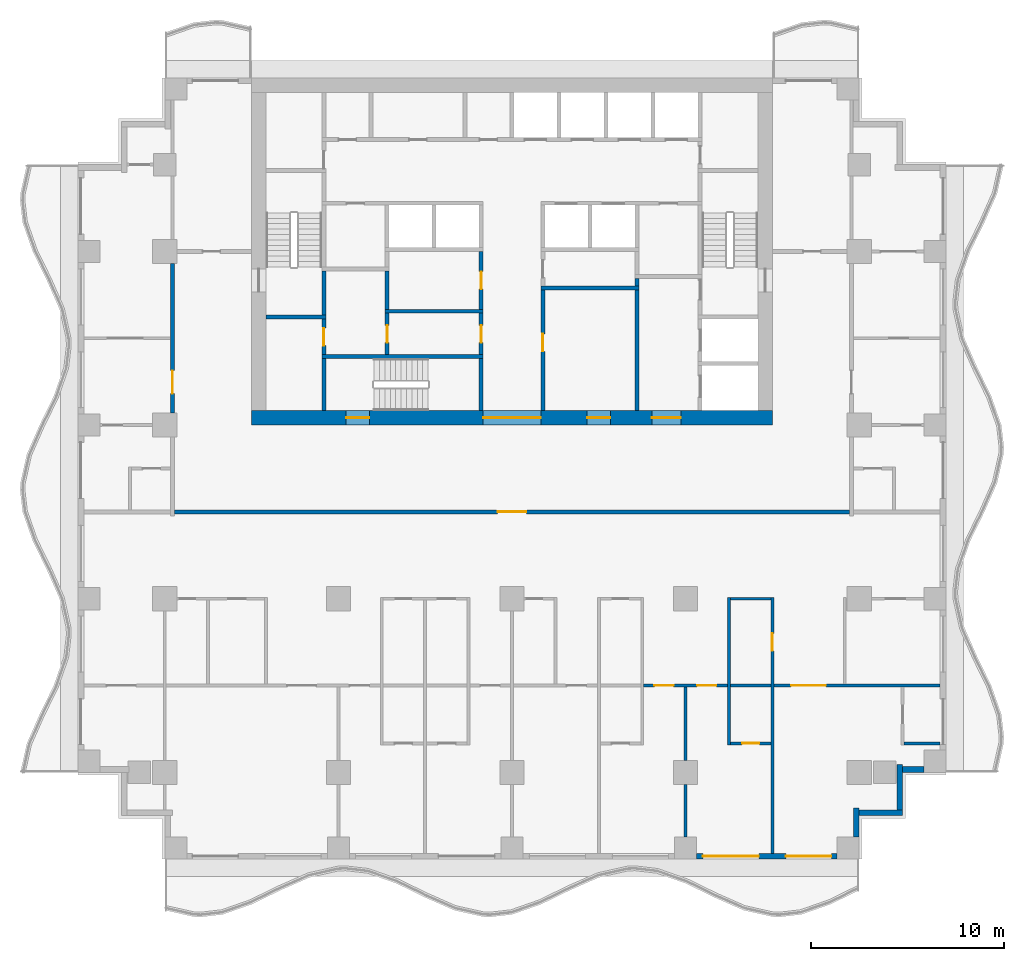
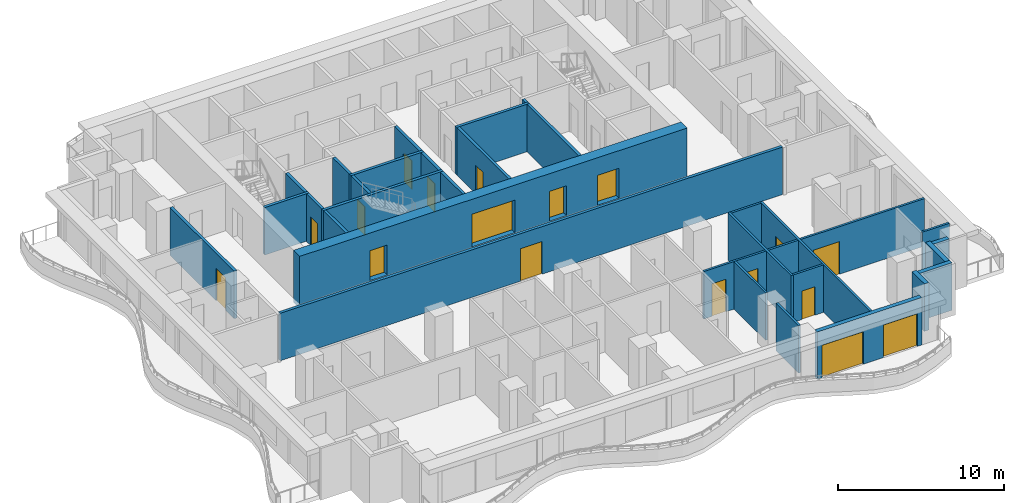
# One storey, part 3 of 10: 33 walls, 18 doors, 18 openings.
"""IFC4 building model written with IfcOpenShell, lengths in metres."""

from ifc_helpers import new_model, si_unit, direction, frame, frame_2d, origin, place, context, subcontext, project, spatial, rectangle, extrude, material, layer, layer_set, type_object, element, fill, save


model = new_model("IFC4")

# Units and contexts
model_context = context("Model", 3, precision=1e-05, world=origin(), true_north=direction((0.0, 1.0)))
body_context = subcontext(model_context, "Body", "Model", "MODEL_VIEW")
ifc_project = project(units=[si_unit("LENGTHUNIT", "METRE"), si_unit("AREAUNIT", "SQUARE_METRE"), si_unit("VOLUMEUNIT", "CUBIC_METRE"), si_unit("PLANEANGLEUNIT", "RADIAN"), si_unit("MASSUNIT", "GRAM", prefix="KILO")], contexts=[model_context])

# Site, building, storey
site_placement = place(None, origin())
site = spatial("IfcSite", under=ifc_project, at=site_placement, CompositionType="ELEMENT")
building_placement = place(site_placement, origin())
building = spatial("IfcBuilding", under=site, at=building_placement, Name="Orbiselva Terraces", CompositionType="ELEMENT")
storey_placement = place(building_placement, frame((0.0, 0.0, 147.8)))
storey = spatial("IfcBuildingStorey", under=building, at=storey_placement, Name="L37", CompositionType="ELEMENT", Elevation=147.8)

# Wall, openings, doors
ifc_material_1 = material(Name="Concrete C80/95", Category="concrete")
ifc_layer_1 = layer(ifc_material_1, 0.75)
ifc_layer_set_1 = layer_set([ifc_layer_1], Name="Concrete C80/95")
wall_type_1 = type_object("IfcWallType", Name="CORE WALL 750", PredefinedType="SHEAR", material=ifc_layer_set_1)
wall_1_placement = place(storey_placement, frame((-13.5, 4.875, -0.3), z_axis=(0.0, 0.0, 1.0), x_axis=(1.0, 0.0, 0.0)))
wall_1 = element("IfcWall", 1, at=wall_1_placement, inside=storey, type_object=wall_type_1, Name="Core wall L37 south", PredefinedType="SHEAR", context=body_context, shape_type="SweptSolid", body=[
    extrude(rectangle(XDim=27.0, YDim=0.75, at=frame_2d((13.5, 0.0))), origin(), (0.0, 0.0, 1.0), 3.8),
])
opening_1_placement = place(wall_1_placement, frame((12.0, 0.0, 0.3)))
opening_1 = element("IfcOpeningElement", 2, at=opening_1_placement, cuts=wall_1, Name="Opening DL3000", PredefinedType="OPENING", context=body_context, shape_type="SweptSolid", body=[
    extrude(rectangle(XDim=3.0, YDim=2.4, at=frame_2d((1.5, 1.2))), frame((0.0, 0.385, 0.0), z_axis=(0.0, -1.0, 0.0), x_axis=(1.0, 0.0, 0.0)), (0.0, 0.0, 1.0), 0.77),
])
opening_2_placement = place(wall_1_placement, frame((4.9, 0.0, 0.3)))
opening_2 = element("IfcOpeningElement", 3, at=opening_2_placement, cuts=wall_1, Name="Opening DS1200", PredefinedType="OPENING", context=body_context, shape_type="SweptSolid", body=[
    extrude(rectangle(XDim=1.2, YDim=2.2, at=frame_2d((0.6, 1.1))), frame((0.0, 0.385, 0.0), z_axis=(0.0, -1.0, 0.0), x_axis=(1.0, 0.0, 0.0)), (0.0, 0.0, 1.0), 0.77),
])
opening_3_placement = place(wall_1_placement, frame((20.75, 0.0, 0.3)))
opening_3 = element("IfcOpeningElement", 4, at=opening_3_placement, cuts=wall_1, Name="Opening DF1500", PredefinedType="OPENING", context=body_context, shape_type="SweptSolid", body=[
    extrude(rectangle(XDim=1.5, YDim=2.2, at=frame_2d((0.75, 1.1))), frame((0.0, 0.385, 0.0), z_axis=(0.0, -1.0, 0.0), x_axis=(1.0, 0.0, 0.0)), (0.0, 0.0, 1.0), 0.77),
])
opening_4_placement = place(wall_1_placement, frame((17.4, 0.0, 0.3)))
opening_4 = element("IfcOpeningElement", 5, at=opening_4_placement, cuts=wall_1, Name="Opening DV1200", PredefinedType="OPENING", context=body_context, shape_type="SweptSolid", body=[
    extrude(rectangle(XDim=1.2, YDim=2.2, at=frame_2d((0.6, 1.1))), frame((0.0, 0.385, 0.0), z_axis=(0.0, -1.0, 0.0), x_axis=(1.0, 0.0, 0.0)), (0.0, 0.0, 1.0), 0.77),
])
ifc_material_2 = material(Name="Steel fire door", Category="steel")
door_type_1 = type_object("IfcDoorType", Name="FFL DOOR 1500", OperationType="DOUBLE_DOOR_SINGLE_SWING", PredefinedType="DOOR", material=ifc_material_2)
door_1_placement = place(opening_3_placement, frame((1.5, 0.0, 0.0), z_axis=(0.0, 0.0, 1.0), x_axis=(-1.0, 0.0, 0.0)))
door_1 = element("IfcDoor", 6, at=door_1_placement, inside=storey, type_object=door_type_1, Name="L37 FIRE-FIGHTING LOBBY door", OperationType="DOUBLE_DOOR_SINGLE_SWING", OverallHeight=2.2, OverallWidth=1.5, PredefinedType="DOOR", context=body_context, shape_type="SweptSolid", body=[
    extrude(rectangle(XDim=1.5, YDim=2.2, at=frame_2d((0.75, 1.1))), frame((0.0, 0.025, 0.0), z_axis=(0.0, -1.0, 0.0), x_axis=(1.0, 0.0, 0.0)), (0.0, 0.0, 1.0), 0.05),
])
fill(opening_3, door_1)
door_type_2 = type_object("IfcDoorType", Name="LOBBY DOOR 3000", OperationType="DOUBLE_DOOR_SINGLE_SWING", PredefinedType="DOOR", material=ifc_material_2)
door_2_placement = place(opening_1_placement, frame((3.0, 0.0, 0.0), z_axis=(0.0, 0.0, 1.0), x_axis=(-1.0, 0.0, 0.0)))
door_2 = element("IfcDoor", 7, at=door_2_placement, inside=storey, type_object=door_type_2, Name="L37 LIFT LOBBY door", OperationType="DOUBLE_DOOR_SINGLE_SWING", OverallHeight=2.4, OverallWidth=3.0, PredefinedType="DOOR", context=body_context, shape_type="SweptSolid", body=[
    extrude(rectangle(XDim=3.0, YDim=2.4, at=frame_2d((1.5, 1.2))), frame((0.0, 0.025, 0.0), z_axis=(0.0, -1.0, 0.0), x_axis=(1.0, 0.0, 0.0)), (0.0, 0.0, 1.0), 0.05),
])
fill(opening_1, door_2)
door_type_3 = type_object("IfcDoorType", Name="SERVICE DOOR 1200", OperationType="NOTDEFINED", PredefinedType="DOOR", material=ifc_material_2)
door_3_placement = place(opening_4_placement, frame((1.2, 0.0, 0.0), z_axis=(0.0, 0.0, 1.0), x_axis=(-1.0, 0.0, 0.0)))
door_3 = element("IfcDoor", 8, at=door_3_placement, inside=storey, type_object=door_type_3, Name="L37 SERVICE ROOM door", OperationType="SINGLE_SWING_RIGHT", OverallHeight=2.2, OverallWidth=1.2, PredefinedType="DOOR", context=body_context, shape_type="SweptSolid", body=[
    extrude(rectangle(XDim=1.2, YDim=2.2, at=frame_2d((0.6, 1.1))), frame((0.0, 0.025, 0.0), z_axis=(0.0, -1.0, 0.0), x_axis=(1.0, 0.0, 0.0)), (0.0, 0.0, 1.0), 0.05),
])
fill(opening_4, door_3)
door_type_4 = type_object("IfcDoorType", Name="STAIR DOOR 1200", OperationType="NOTDEFINED", PredefinedType="DOOR", material=ifc_material_2)
door_4_placement = place(opening_2_placement, frame((1.2, 0.0, 0.0), z_axis=(0.0, 0.0, 1.0), x_axis=(-1.0, 0.0, 0.0)))
door_4 = element("IfcDoor", 9, at=door_4_placement, inside=storey, type_object=door_type_4, Name="L37 EXIT STAIR S3 door", OperationType="SINGLE_SWING_LEFT", OverallHeight=2.2, OverallWidth=1.2, PredefinedType="DOOR", context=body_context, shape_type="SweptSolid", body=[
    extrude(rectangle(XDim=1.2, YDim=2.2, at=frame_2d((0.6, 1.1))), frame((0.0, 0.025, 0.0), z_axis=(0.0, -1.0, 0.0), x_axis=(1.0, 0.0, 0.0)), (0.0, 0.0, 1.0), 0.05),
])
fill(opening_2, door_4)

# Wall, opening, door
ifc_material_3 = material(Name="Masonry blockwork", Category="masonry")
ifc_layer_2 = layer(ifc_material_3, 0.2)
ifc_layer_set_2 = layer_set([ifc_layer_2], Name="Masonry blockwork")
wall_type_2 = type_object("IfcWallType", Name="CORE-WALL-PARTITION-200", PredefinedType="PARTITIONING", material=ifc_layer_set_2)
wall_2_placement = place(storey_placement, frame((-9.75, 8.15, 0.0), z_axis=(0.0, 0.0, 1.0), x_axis=(0.0, 1.0, 0.0)))
wall_2 = element("IfcWall", 10, at=wall_2_placement, inside=storey, type_object=wall_type_2, Name="L37 core wall 05", PredefinedType="PARTITIONING", context=body_context, shape_type="SweptSolid", body=[
    extrude(rectangle(XDim=1.85, YDim=0.2, at=frame_2d((0.925, 0.0))), origin(), (0.0, 0.0, 1.0), 3.5),
])
opening_5_placement = place(wall_2_placement, frame((0.475, 0.0, 0.0)))
opening_5 = element("IfcOpeningElement", 11, at=opening_5_placement, cuts=wall_2, Name="Opening DR900", PredefinedType="OPENING", context=body_context, shape_type="SweptSolid", body=[
    extrude(rectangle(XDim=0.9, YDim=2.1, at=frame_2d((0.45, 1.05))), frame((0.0, 0.11, 0.0), z_axis=(0.0, -1.0, 0.0), x_axis=(1.0, 0.0, 0.0)), (0.0, 0.0, 1.0), 0.22),
])
door_type_5 = type_object("IfcDoorType", Name="ROOM DOOR 900", OperationType="NOTDEFINED", PredefinedType="DOOR", material=ifc_material_2)
door_5_placement = place(opening_5_placement, origin())
door_5 = element("IfcDoor", 12, at=door_5_placement, inside=storey, type_object=door_type_5, Name="L37 CLEANERS STORE door", OperationType="SINGLE_SWING_RIGHT", OverallHeight=2.1, OverallWidth=0.9, PredefinedType="DOOR", context=body_context, shape_type="SweptSolid", body=[
    extrude(rectangle(XDim=0.9, YDim=2.1, at=frame_2d((0.45, 1.05))), frame((0.0, 0.025, 0.0), z_axis=(0.0, -1.0, 0.0), x_axis=(1.0, 0.0, 0.0)), (0.0, 0.0, 1.0), 0.05),
])
fill(opening_5, door_5)

wall_3_placement = place(storey_placement, frame((-6.475, 8.15, 0.0), z_axis=(0.0, 0.0, 1.0), x_axis=(0.0, 1.0, 0.0)))
wall_3 = element("IfcWall", 13, at=wall_3_placement, inside=storey, type_object=wall_type_2, Name="L37 core wall 15", PredefinedType="PARTITIONING", context=body_context, shape_type="SweptSolid", body=[
    extrude(rectangle(XDim=2.15, YDim=0.2, at=frame_2d((1.075, 0.0))), origin(), (0.0, 0.0, 1.0), 3.5),
])
opening_6_placement = place(wall_3_placement, frame((0.625, 0.0, 0.0)))
opening_6 = element("IfcOpeningElement", 14, at=opening_6_placement, cuts=wall_3, Name="Opening DR900", PredefinedType="OPENING", context=body_context, shape_type="SweptSolid", body=[
    extrude(rectangle(XDim=0.9, YDim=2.1, at=frame_2d((0.45, 1.05))), frame((0.0, 0.11, 0.0), z_axis=(0.0, -1.0, 0.0), x_axis=(1.0, 0.0, 0.0)), (0.0, 0.0, 1.0), 0.22),
])
door_6_placement = place(opening_6_placement, origin())
door_6 = element("IfcDoor", 15, at=door_6_placement, inside=storey, type_object=door_type_5, Name="L37 STAFF ROOM door", OperationType="SINGLE_SWING_LEFT", OverallHeight=2.1, OverallWidth=0.9, PredefinedType="DOOR", context=body_context, shape_type="SweptSolid", body=[
    extrude(rectangle(XDim=0.9, YDim=2.1, at=frame_2d((0.45, 1.05))), frame((0.0, 0.025, 0.0), z_axis=(0.0, -1.0, 0.0), x_axis=(1.0, 0.0, 0.0)), (0.0, 0.0, 1.0), 0.05),
])
fill(opening_6, door_6)

# Wall
wall_4_placement = place(storey_placement, frame((-6.475, 10.5, 0.0), z_axis=(0.0, 0.0, 1.0), x_axis=(0.0, 1.0, 0.0)))
element("IfcWall", 16, at=wall_4_placement, inside=storey, type_object=wall_type_2, Name="L37 core wall 17", PredefinedType="PARTITIONING", context=body_context, shape_type="SweptSolid", body=[
    extrude(rectangle(XDim=2.0, YDim=0.2, at=frame_2d((1.0, 0.0))), origin(), (0.0, 0.0, 1.0), 3.5),
])

# Wall, opening, door
wall_5_placement = place(storey_placement, frame((-1.6, 8.15, 0.0), z_axis=(0.0, 0.0, 1.0), x_axis=(0.0, 1.0, 0.0)))
wall_5 = element("IfcWall", 17, at=wall_5_placement, inside=storey, type_object=wall_type_2, Name="L37 core wall 24", PredefinedType="PARTITIONING", context=body_context, shape_type="SweptSolid", body=[
    extrude(rectangle(XDim=2.15, YDim=0.2, at=frame_2d((1.075, 0.0))), origin(), (0.0, 0.0, 1.0), 3.5),
])
opening_7_placement = place(wall_5_placement, frame((0.625, 0.0, 0.0)))
opening_7 = element("IfcOpeningElement", 18, at=opening_7_placement, cuts=wall_5, Name="Opening DR900", PredefinedType="OPENING", context=body_context, shape_type="SweptSolid", body=[
    extrude(rectangle(XDim=0.9, YDim=2.1, at=frame_2d((0.45, 1.05))), frame((0.0, 0.11, 0.0), z_axis=(0.0, -1.0, 0.0), x_axis=(1.0, 0.0, 0.0)), (0.0, 0.0, 1.0), 0.22),
])
door_7_placement = place(opening_7_placement, origin())
door_7 = element("IfcDoor", 19, at=door_7_placement, inside=storey, type_object=door_type_5, Name="L37 SERVICE PANTRY door", OperationType="SINGLE_SWING_LEFT", OverallHeight=2.1, OverallWidth=0.9, PredefinedType="DOOR", context=body_context, shape_type="SweptSolid", body=[
    extrude(rectangle(XDim=0.9, YDim=2.1, at=frame_2d((0.45, 1.05))), frame((0.0, 0.025, 0.0), z_axis=(0.0, -1.0, 0.0), x_axis=(1.0, 0.0, 0.0)), (0.0, 0.0, 1.0), 0.05),
])
fill(opening_7, door_7)

wall_6_placement = place(storey_placement, frame((-1.6, 10.5, 0.0), z_axis=(0.0, 0.0, 1.0), x_axis=(0.0, 1.0, 0.0)))
wall_6 = element("IfcWall", 20, at=wall_6_placement, inside=storey, type_object=wall_type_2, Name="L37 core wall 25", PredefinedType="PARTITIONING", context=body_context, shape_type="SweptSolid", body=[
    extrude(rectangle(XDim=3.0, YDim=0.2, at=frame_2d((1.5, 0.0))), origin(), (0.0, 0.0, 1.0), 3.5),
])
opening_8_placement = place(wall_6_placement, frame((1.05, 0.0, 0.0)))
opening_8 = element("IfcOpeningElement", 21, at=opening_8_placement, cuts=wall_6, Name="Opening DR900", PredefinedType="OPENING", context=body_context, shape_type="SweptSolid", body=[
    extrude(rectangle(XDim=0.9, YDim=2.1, at=frame_2d((0.45, 1.05))), frame((0.0, 0.11, 0.0), z_axis=(0.0, -1.0, 0.0), x_axis=(1.0, 0.0, 0.0)), (0.0, 0.0, 1.0), 0.22),
])
door_8_placement = place(opening_8_placement, origin())
door_8 = element("IfcDoor", 22, at=door_8_placement, inside=storey, type_object=door_type_5, Name="L37 LINEN STORE door", OperationType="SINGLE_SWING_RIGHT", OverallHeight=2.1, OverallWidth=0.9, PredefinedType="DOOR", context=body_context, shape_type="SweptSolid", body=[
    extrude(rectangle(XDim=0.9, YDim=2.1, at=frame_2d((0.45, 1.05))), frame((0.0, 0.025, 0.0), z_axis=(0.0, -1.0, 0.0), x_axis=(1.0, 0.0, 0.0)), (0.0, 0.0, 1.0), 0.05),
])
fill(opening_8, door_8)

# Walls
ifc_material_4 = material(Name="Concrete C60/75", Category="concrete")
ifc_layer_3 = layer(ifc_material_4, 0.2)
ifc_layer_set_3 = layer_set([ifc_layer_3], Name="Concrete C60/75")
wall_type_3 = type_object("IfcWallType", Name="CORE-WALL-SHEAR-200", PredefinedType="SHEAR", material=ifc_layer_set_3)
wall_7_placement = place(storey_placement, frame((-12.75, 10.1, 0.0), z_axis=(0.0, 0.0, 1.0), x_axis=(1.0, 0.0, 0.0)))
element("IfcWall", 23, at=wall_7_placement, inside=storey, type_object=wall_type_3, Name="L37 core wall 01", PredefinedType="SHEAR", context=body_context, shape_type="SweptSolid", body=[
    extrude(rectangle(XDim=3.1, YDim=0.2, at=frame_2d((1.55, 0.0))), origin(), (0.0, 0.0, 1.0), 3.5),
])
wall_8_placement = place(storey_placement, frame((-9.75, 5.25, 0.0), z_axis=(0.0, 0.0, 1.0), x_axis=(0.0, 1.0, 0.0)))
element("IfcWall", 24, at=wall_8_placement, inside=storey, type_object=wall_type_3, Name="L37 core wall 03", PredefinedType="SHEAR", context=body_context, shape_type="SweptSolid", body=[
    extrude(rectangle(XDim=2.7, YDim=0.2, at=frame_2d((1.35, 0.0))), origin(), (0.0, 0.0, 1.0), 3.5),
])
wall_9_placement = place(storey_placement, frame((-9.85, 8.05, 0.0), z_axis=(0.0, 0.0, 1.0), x_axis=(1.0, 0.0, 0.0)))
element("IfcWall", 25, at=wall_9_placement, inside=storey, type_object=wall_type_3, Name="L37 core wall 04", PredefinedType="SHEAR", context=body_context, shape_type="SweptSolid", body=[
    extrude(rectangle(XDim=8.35, YDim=0.2, at=frame_2d((4.175, 0.0))), origin(), (0.0, 0.0, 1.0), 3.5),
])
wall_10_placement = place(storey_placement, frame((-9.75, 10.2, 0.0), z_axis=(0.0, 0.0, 1.0), x_axis=(0.0, 1.0, 0.0)))
element("IfcWall", 26, at=wall_10_placement, inside=storey, type_object=wall_type_3, Name="L37 core wall 06", PredefinedType="SHEAR", context=body_context, shape_type="SweptSolid", body=[
    extrude(rectangle(XDim=2.3, YDim=0.2, at=frame_2d((1.15, 0.0))), origin(), (0.0, 0.0, 1.0), 3.5),
])
wall_11_placement = place(storey_placement, frame((-6.575, 10.4, 0.0), z_axis=(0.0, 0.0, 1.0), x_axis=(1.0, 0.0, 0.0)))
element("IfcWall", 27, at=wall_11_placement, inside=storey, type_object=wall_type_3, Name="L37 core wall 16", PredefinedType="SHEAR", context=body_context, shape_type="SweptSolid", body=[
    extrude(rectangle(XDim=5.075, YDim=0.2, at=frame_2d((2.5375, 0.0))), origin(), (0.0, 0.0, 1.0), 3.5),
])
wall_12_placement = place(storey_placement, frame((-1.6, 5.25, 0.0), z_axis=(0.0, 0.0, 1.0), x_axis=(0.0, 1.0, 0.0)))
element("IfcWall", 28, at=wall_12_placement, inside=storey, type_object=wall_type_3, Name="L37 core wall 23", PredefinedType="SHEAR", context=body_context, shape_type="SweptSolid", body=[
    extrude(rectangle(XDim=2.7, YDim=0.2, at=frame_2d((1.35, 0.0))), origin(), (0.0, 0.0, 1.0), 3.5),
])

# Wall, opening, door
wall_13_placement = place(storey_placement, frame((1.6, 11.5, 0.0), z_axis=(0.0, 0.0, 1.0), x_axis=(0.0, -1.0, 0.0)))
wall_13 = element("IfcWall", 29, at=wall_13_placement, inside=storey, type_object=wall_type_3, Name="L37 core wall 28", PredefinedType="SHEAR", context=body_context, shape_type="SweptSolid", body=[
    extrude(rectangle(XDim=6.25, YDim=0.2, at=frame_2d((3.125, 0.0))), origin(), (0.0, 0.0, 1.0), 3.5),
])
opening_9_placement = place(wall_13_placement, frame((2.275, 0.0, 0.0)))
opening_9 = element("IfcOpeningElement", 30, at=opening_9_placement, cuts=wall_13, Name="Opening DR900", PredefinedType="OPENING", context=body_context, shape_type="SweptSolid", body=[
    extrude(rectangle(XDim=0.9, YDim=2.1, at=frame_2d((0.45, 1.05))), frame((0.0, 0.11, 0.0), z_axis=(0.0, -1.0, 0.0), x_axis=(1.0, 0.0, 0.0)), (0.0, 0.0, 1.0), 0.22),
])
door_9_placement = place(opening_9_placement, origin())
door_9 = element("IfcDoor", 31, at=door_9_placement, inside=storey, type_object=door_type_5, Name="L37 SERVICE ROOM door", OperationType="SINGLE_SWING_LEFT", OverallHeight=2.1, OverallWidth=0.9, PredefinedType="DOOR", context=body_context, shape_type="SweptSolid", body=[
    extrude(rectangle(XDim=0.9, YDim=2.1, at=frame_2d((0.45, 1.05))), frame((0.0, 0.025, 0.0), z_axis=(0.0, -1.0, 0.0), x_axis=(1.0, 0.0, 0.0)), (0.0, 0.0, 1.0), 0.05),
])
fill(opening_9, door_9)

# Walls
wall_14_placement = place(storey_placement, frame((1.5, 11.6, 0.0), z_axis=(0.0, 0.0, 1.0), x_axis=(1.0, 0.0, 0.0)))
element("IfcWall", 32, at=wall_14_placement, inside=storey, type_object=wall_type_3, Name="L37 core wall 29", PredefinedType="SHEAR", context=body_context, shape_type="SweptSolid", body=[
    extrude(rectangle(XDim=5.075, YDim=0.2, at=frame_2d((2.5375, 0.0))), origin(), (0.0, 0.0, 1.0), 3.5),
])
wall_15_placement = place(storey_placement, frame((6.475, 5.25, 0.0), z_axis=(0.0, 0.0, 1.0), x_axis=(0.0, 1.0, 0.0)))
element("IfcWall", 33, at=wall_15_placement, inside=storey, type_object=wall_type_3, Name="L37 core wall 37", PredefinedType="SHEAR", context=body_context, shape_type="SweptSolid", body=[
    extrude(rectangle(XDim=6.25, YDim=0.2, at=frame_2d((3.125, 0.0))), origin(), (0.0, 0.0, 1.0), 3.5),
])
wall_16_placement = place(storey_placement, frame((6.475, 11.7, 0.0), z_axis=(0.0, 0.0, 1.0), x_axis=(0.0, 1.0, 0.0)))
element("IfcWall", 34, at=wall_16_placement, inside=storey, type_object=wall_type_3, Name="L37 core wall 38", PredefinedType="SHEAR", context=body_context, shape_type="SweptSolid", body=[
    extrude(rectangle(XDim=0.4, YDim=0.2, at=frame_2d((0.2, 0.0))), origin(), (0.0, 0.0, 1.0), 3.5),
])

# Wall, openings, doors
ifc_material_5 = material(Name="Terracotta cladding on masonry backing", Category="masonry")
ifc_layer_4 = layer(ifc_material_5, 0.3)
ifc_layer_set_4 = layer_set([ifc_layer_4], Name="Terracotta cladding on masonry backing")
wall_type_4 = type_object("IfcWallType", Name="ENV-WALL-TERRACOTTA-300", PredefinedType="SOLIDWALL", material=ifc_layer_set_4)
wall_17_placement = place(storey_placement, frame((16.85, -17.85, 0.0), z_axis=(0.0, 0.0, 1.0), x_axis=(-1.0, 0.0, 0.0)))
wall_17 = element("IfcWall", 35, at=wall_17_placement, inside=storey, type_object=wall_type_4, Name="Facade wall L37 S", PredefinedType="SOLIDWALL", context=body_context, shape_type="SweptSolid", body=[
    extrude(rectangle(XDim=7.275, YDim=0.3, at=frame_2d((3.6375, 0.0))), origin(), (0.0, 0.0, 1.0), 3.5),
])
opening_10_placement = place(wall_17_placement, frame((4.05, 0.0, 0.0)))
opening_10 = element("IfcOpeningElement", 36, at=opening_10_placement, cuts=wall_17, Name="Opening Z3-C-E03", PredefinedType="OPENING", context=body_context, shape_type="SweptSolid", body=[
    extrude(rectangle(XDim=2.9, YDim=2.4, at=frame_2d((1.45, 1.2))), frame((0.0, 0.16, 0.0), z_axis=(0.0, -1.0, 0.0), x_axis=(1.0, 0.0, 0.0)), (0.0, 0.0, 1.0), 0.32),
])
opening_11_placement = place(wall_17_placement, frame((0.3, 0.0, 0.0)))
opening_11 = element("IfcOpeningElement", 37, at=opening_11_placement, cuts=wall_17, Name="Opening Z3-C-E04", PredefinedType="OPENING", context=body_context, shape_type="SweptSolid", body=[
    extrude(rectangle(XDim=2.35, YDim=2.4, at=frame_2d((1.175, 1.2))), frame((0.0, 0.16, 0.0), z_axis=(0.0, -1.0, 0.0), x_axis=(1.0, 0.0, 0.0)), (0.0, 0.0, 1.0), 0.32),
])
ifc_material_6 = material(Name="Clear low-e glazing in aluminium frame", Category="aluminium")
door_type_6 = type_object("IfcDoorType", Name="BALCONY DOOR 2350 X 2400", OperationType="DOUBLE_DOOR_SLIDING", PredefinedType="DOOR", material=ifc_material_6)
door_10_placement = place(opening_11_placement, origin())
door_10 = element("IfcDoor", 38, at=door_10_placement, inside=storey, type_object=door_type_6, Name="Z3-C-E04", OperationType="SINGLE_SWING_LEFT", OverallHeight=2.4, OverallWidth=2.35, PredefinedType="DOOR", context=body_context, shape_type="SweptSolid", body=[
    extrude(rectangle(XDim=2.35, YDim=2.4, at=frame_2d((1.175, 1.2))), frame((0.0, 0.025, 0.0), z_axis=(0.0, -1.0, 0.0), x_axis=(1.0, 0.0, 0.0)), (0.0, 0.0, 1.0), 0.05),
])
fill(opening_11, door_10)
door_type_7 = type_object("IfcDoorType", Name="BALCONY DOOR 2900 X 2400", OperationType="DOUBLE_DOOR_SLIDING", PredefinedType="DOOR", material=ifc_material_6)
door_11_placement = place(opening_10_placement, origin())
door_11 = element("IfcDoor", 39, at=door_11_placement, inside=storey, type_object=door_type_7, Name="Z3-C-E03", OperationType="SINGLE_SWING_LEFT", OverallHeight=2.4, OverallWidth=2.9, PredefinedType="DOOR", context=body_context, shape_type="SweptSolid", body=[
    extrude(rectangle(XDim=2.9, YDim=2.4, at=frame_2d((1.45, 1.2))), frame((0.0, 0.025, 0.0), z_axis=(0.0, -1.0, 0.0), x_axis=(1.0, 0.0, 0.0)), (0.0, 0.0, 1.0), 0.05),
])
fill(opening_10, door_11)

# Walls
wall_18_placement = place(storey_placement, frame((17.85, -15.35, 0.0), z_axis=(0.0, 0.0, 1.0), x_axis=(0.0, -1.0, 0.0)))
element("IfcWall", 40, at=wall_18_placement, inside=storey, type_object=wall_type_4, Name="Facade wall L37 STEP", PredefinedType="SOLIDWALL", context=body_context, shape_type="SweptSolid", body=[
    extrude(rectangle(XDim=1.5, YDim=0.3, at=frame_2d((0.75, 0.0))), origin(), (0.0, 0.0, 1.0), 3.5),
])
wall_19_placement = place(storey_placement, frame((20.25, -15.6, 0.0), z_axis=(0.0, 0.0, 1.0), x_axis=(-1.0, 0.0, 0.0)))
element("IfcWall", 41, at=wall_19_placement, inside=storey, type_object=wall_type_4, Name="Facade wall L37 STEP", PredefinedType="SOLIDWALL", context=body_context, shape_type="SweptSolid", body=[
    extrude(rectangle(XDim=2.25, YDim=0.3, at=frame_2d((1.125, 0.0))), origin(), (0.0, 0.0, 1.0), 3.5),
])
wall_20_placement = place(storey_placement, frame((20.1, -13.1, 0.0), z_axis=(0.0, 0.0, 1.0), x_axis=(0.0, -1.0, 0.0)))
element("IfcWall", 42, at=wall_20_placement, inside=storey, type_object=wall_type_4, Name="Facade wall L37 STEP", PredefinedType="SOLIDWALL", context=body_context, shape_type="SweptSolid", body=[
    extrude(rectangle(XDim=2.35, YDim=0.3, at=frame_2d((1.175, 0.0))), origin(), (0.0, 0.0, 1.0), 3.5),
])
wall_21_placement = place(storey_placement, frame((21.35, -13.35, 0.0), z_axis=(0.0, 0.0, 1.0), x_axis=(-1.0, 0.0, 0.0)))
element("IfcWall", 43, at=wall_21_placement, inside=storey, type_object=wall_type_4, Name="Facade wall L37 STEP", PredefinedType="SOLIDWALL", context=body_context, shape_type="SweptSolid", body=[
    extrude(rectangle(XDim=1.1, YDim=0.3, at=frame_2d((0.55, 0.0))), origin(), (0.0, 0.0, 1.0), 3.5),
])

# Wall, opening, door
ifc_material_7 = material(Name="Plasterboard on steel stud partition", Category="steel")
ifc_layer_5 = layer(ifc_material_7, 0.2)
ifc_layer_set_5 = layer_set([ifc_layer_5], Name="Plasterboard on steel stud partition")
wall_type_5 = type_object("IfcWallType", Name="UNIT-ENTRANCE-WALL-200", PredefinedType="PARTITIONING", material=ifc_layer_set_5)
wall_22_placement = place(storey_placement, frame((17.5, 0.0, 0.0), z_axis=(0.0, 0.0, 1.0), x_axis=(-1.0, 0.0, 0.0)))
wall_22 = element("IfcWall", 44, at=wall_22_placement, inside=storey, type_object=wall_type_5, Name="PARTITION L37-022", PredefinedType="PARTITIONING", context=body_context, shape_type="SweptSolid", body=[
    extrude(rectangle(XDim=35.0, YDim=0.2, at=frame_2d((17.5, 0.0))), origin(), (0.0, 0.0, 1.0), 3.5),
])
opening_12_placement = place(wall_22_placement, frame((16.75, 0.0, 0.0)))
opening_12 = element("IfcOpeningElement", 45, at=opening_12_placement, cuts=wall_22, Name="Opening Z3-C-13", PredefinedType="OPENING", context=body_context, shape_type="SweptSolid", body=[
    extrude(rectangle(XDim=1.5, YDim=2.4, at=frame_2d((0.75, 1.2))), frame((0.0, 0.11, 0.0), z_axis=(0.0, -1.0, 0.0), x_axis=(1.0, 0.0, 0.0)), (0.0, 0.0, 1.0), 0.22),
])
ifc_material_8 = material(Name="Painted timber door leaf", Category="wood")
door_type_8 = type_object("IfcDoorType", Name="ENTRANCE DOUBLE DOOR 1500", OperationType="NOTDEFINED", PredefinedType="DOOR", material=ifc_material_8)
door_12_placement = place(opening_12_placement, origin())
door_12 = element("IfcDoor", 46, at=door_12_placement, inside=storey, type_object=door_type_8, Name="Z3-C-13", OperationType="DOUBLE_DOOR_SINGLE_SWING", OverallHeight=2.4, OverallWidth=1.5, PredefinedType="DOOR", context=body_context, shape_type="SweptSolid", body=[
    extrude(rectangle(XDim=1.5, YDim=2.4, at=frame_2d((0.75, 1.2))), frame((0.0, 0.025, 0.0), z_axis=(0.0, -1.0, 0.0), x_axis=(1.0, 0.0, 0.0)), (0.0, 0.0, 1.0), 0.05),
])
fill(opening_12, door_12)

wall_23_placement = place(storey_placement, frame((-17.6, 5.125, 0.0), z_axis=(0.0, 0.0, 1.0), x_axis=(0.0, 1.0, 0.0)))
wall_23 = element("IfcWall", 47, at=wall_23_placement, inside=storey, type_object=wall_type_5, Name="PARTITION L37-039", PredefinedType="PARTITIONING", context=body_context, shape_type="SweptSolid", body=[
    extrude(rectangle(XDim=7.75, YDim=0.2, at=frame_2d((3.875, 0.0))), origin(), (0.0, 0.0, 1.0), 3.5),
])
opening_13_placement = place(wall_23_placement, frame((1.0, 0.0, 0.0)))
opening_13 = element("IfcOpeningElement", 48, at=opening_13_placement, cuts=wall_23, Name="Opening Z3-C-05", PredefinedType="OPENING", context=body_context, shape_type="SweptSolid", body=[
    extrude(rectangle(XDim=1.2, YDim=2.4, at=frame_2d((0.6, 1.2))), frame((0.0, 0.11, 0.0), z_axis=(0.0, -1.0, 0.0), x_axis=(1.0, 0.0, 0.0)), (0.0, 0.0, 1.0), 0.22),
])
door_type_9 = type_object("IfcDoorType", Name="ENTRANCE DOOR 1200", OperationType="NOTDEFINED", PredefinedType="DOOR", material=ifc_material_8)
door_13_placement = place(opening_13_placement, origin())
door_13 = element("IfcDoor", 49, at=door_13_placement, inside=storey, type_object=door_type_9, Name="Z3-C-05", OperationType="SINGLE_SWING_LEFT", OverallHeight=2.4, OverallWidth=1.2, PredefinedType="DOOR", context=body_context, shape_type="SweptSolid", body=[
    extrude(rectangle(XDim=1.2, YDim=2.4, at=frame_2d((0.6, 1.2))), frame((0.0, 0.025, 0.0), z_axis=(0.0, -1.0, 0.0), x_axis=(1.0, 0.0, 0.0)), (0.0, 0.0, 1.0), 0.05),
])
fill(opening_13, door_13)

ifc_layer_6 = layer(ifc_material_7, 0.15)
ifc_layer_set_6 = layer_set([ifc_layer_6], Name="Plasterboard on steel stud partition")
wall_type_6 = type_object("IfcWallType", Name="UNIT-PARTITION-150", PredefinedType="PARTITIONING", material=ifc_layer_set_6)
wall_24_placement = place(storey_placement, frame((11.325, -12.0, 0.0), z_axis=(0.0, 0.0, 1.0), x_axis=(1.0, 0.0, 0.0)))
wall_24 = element("IfcWall", 50, at=wall_24_placement, inside=storey, type_object=wall_type_6, Name="PARTITION L37-004", PredefinedType="PARTITIONING", context=body_context, shape_type="SweptSolid", body=[
    extrude(rectangle(XDim=2.1, YDim=0.15, at=frame_2d((1.05, 0.0))), origin(), (0.0, 0.0, 1.0), 3.5),
])
opening_14_placement = place(wall_24_placement, frame((0.6, 0.0, 0.0)))
opening_14 = element("IfcOpeningElement", 51, at=opening_14_placement, cuts=wall_24, Name="Opening Z3-C-25", PredefinedType="OPENING", context=body_context, shape_type="SweptSolid", body=[
    extrude(rectangle(XDim=0.9, YDim=2.1, at=frame_2d((0.45, 1.05))), frame((0.0, 0.085, 0.0), z_axis=(0.0, -1.0, 0.0), x_axis=(1.0, 0.0, 0.0)), (0.0, 0.0, 1.0), 0.17),
])
door_type_10 = type_object("IfcDoorType", Name="BATH DOOR 900", OperationType="NOTDEFINED", PredefinedType="DOOR", material=ifc_material_8)
door_14_placement = place(opening_14_placement, origin())
door_14 = element("IfcDoor", 52, at=door_14_placement, inside=storey, type_object=door_type_10, Name="Z3-C-25", OperationType="SINGLE_SWING_LEFT", OverallHeight=2.1, OverallWidth=0.9, PredefinedType="DOOR", context=body_context, shape_type="SweptSolid", body=[
    extrude(rectangle(XDim=0.9, YDim=2.1, at=frame_2d((0.45, 1.05))), frame((0.0, 0.025, 0.0), z_axis=(0.0, -1.0, 0.0), x_axis=(1.0, 0.0, 0.0)), (0.0, 0.0, 1.0), 0.05),
])
fill(opening_14, door_14)

# Wall
wall_25_placement = place(storey_placement, frame((20.325, -12.0, 0.0), z_axis=(0.0, 0.0, 1.0), x_axis=(1.0, 0.0, 0.0)))
element("IfcWall", 53, at=wall_25_placement, inside=storey, type_object=wall_type_6, Name="PARTITION L37-005", PredefinedType="PARTITIONING", context=body_context, shape_type="SweptSolid", body=[
    extrude(rectangle(XDim=1.875, YDim=0.15, at=frame_2d((0.9375, 0.0))), origin(), (0.0, 0.0, 1.0), 3.5),
])

# Wall, openings, doors
wall_26_placement = place(storey_placement, frame((11.175, -9.0, 0.0), z_axis=(0.0, 0.0, 1.0), x_axis=(-1.0, 0.0, 0.0)))
wall_26 = element("IfcWall", 54, at=wall_26_placement, inside=storey, type_object=wall_type_6, Name="PARTITION L37-013", PredefinedType="PARTITIONING", context=body_context, shape_type="SweptSolid", body=[
    extrude(rectangle(XDim=4.35, YDim=0.15, at=frame_2d((2.175, 0.0))), origin(), (0.0, 0.0, 1.0), 3.5),
])
opening_15_placement = place(wall_26_placement, frame((0.575, 0.0, 0.0)))
opening_15 = element("IfcOpeningElement", 55, at=opening_15_placement, cuts=wall_26, Name="Opening Z3-C-24", PredefinedType="OPENING", context=body_context, shape_type="SweptSolid", body=[
    extrude(rectangle(XDim=1.0, YDim=2.4, at=frame_2d((0.5, 1.2))), frame((0.0, 0.085, 0.0), z_axis=(0.0, -1.0, 0.0), x_axis=(1.0, 0.0, 0.0)), (0.0, 0.0, 1.0), 0.17),
])
opening_16_placement = place(wall_26_placement, frame((2.8, 0.0, 0.0)))
opening_16 = element("IfcOpeningElement", 56, at=opening_16_placement, cuts=wall_26, Name="Opening Z3-C-26", PredefinedType="OPENING", context=body_context, shape_type="SweptSolid", body=[
    extrude(rectangle(XDim=1.0, YDim=2.4, at=frame_2d((0.5, 1.2))), frame((0.0, 0.085, 0.0), z_axis=(0.0, -1.0, 0.0), x_axis=(1.0, 0.0, 0.0)), (0.0, 0.0, 1.0), 0.17),
])
door_type_11 = type_object("IfcDoorType", Name="ROOM DOOR 1000", OperationType="NOTDEFINED", PredefinedType="DOOR", material=ifc_material_8)
door_15_placement = place(opening_15_placement, origin())
door_15 = element("IfcDoor", 57, at=door_15_placement, inside=storey, type_object=door_type_11, Name="Z3-C-24", OperationType="SINGLE_SWING_LEFT", OverallHeight=2.4, OverallWidth=1.0, PredefinedType="DOOR", context=body_context, shape_type="SweptSolid", body=[
    extrude(rectangle(XDim=1.0, YDim=2.4, at=frame_2d((0.5, 1.2))), frame((0.0, 0.025, 0.0), z_axis=(0.0, -1.0, 0.0), x_axis=(1.0, 0.0, 0.0)), (0.0, 0.0, 1.0), 0.05),
])
fill(opening_15, door_15)
door_16_placement = place(opening_16_placement, origin())
door_16 = element("IfcDoor", 58, at=door_16_placement, inside=storey, type_object=door_type_11, Name="Z3-C-26", OperationType="SINGLE_SWING_RIGHT", OverallHeight=2.4, OverallWidth=1.0, PredefinedType="DOOR", context=body_context, shape_type="SweptSolid", body=[
    extrude(rectangle(XDim=1.0, YDim=2.4, at=frame_2d((0.5, 1.2))), frame((0.0, 0.025, 0.0), z_axis=(0.0, -1.0, 0.0), x_axis=(1.0, 0.0, 0.0)), (0.0, 0.0, 1.0), 0.05),
])
fill(opening_16, door_16)

# Wall
wall_27_placement = place(storey_placement, frame((11.325, -9.0, 0.0), z_axis=(0.0, 0.0, 1.0), x_axis=(1.0, 0.0, 0.0)))
element("IfcWall", 59, at=wall_27_placement, inside=storey, type_object=wall_type_6, Name="PARTITION L37-014", PredefinedType="PARTITIONING", context=body_context, shape_type="SweptSolid", body=[
    extrude(rectangle(XDim=2.1, YDim=0.15, at=frame_2d((1.05, 0.0))), origin(), (0.0, 0.0, 1.0), 3.5),
])

# Wall, opening, door
wall_28_placement = place(storey_placement, frame((22.2, -9.0, 0.0), z_axis=(0.0, 0.0, 1.0), x_axis=(-1.0, 0.0, 0.0)))
wall_28 = element("IfcWall", 60, at=wall_28_placement, inside=storey, type_object=wall_type_6, Name="PARTITION L37-015", PredefinedType="PARTITIONING", context=body_context, shape_type="SweptSolid", body=[
    extrude(rectangle(XDim=8.625, YDim=0.15, at=frame_2d((4.3125, 0.0))), origin(), (0.0, 0.0, 1.0), 3.5),
])
opening_17_placement = place(wall_28_placement, frame((5.925, 0.0, 0.0)))
opening_17 = element("IfcOpeningElement", 61, at=opening_17_placement, cuts=wall_28, Name="Opening Z3-C-22", PredefinedType="OPENING", context=body_context, shape_type="SweptSolid", body=[
    extrude(rectangle(XDim=1.8, YDim=2.4, at=frame_2d((0.9, 1.2))), frame((0.0, 0.085, 0.0), z_axis=(0.0, -1.0, 0.0), x_axis=(1.0, 0.0, 0.0)), (0.0, 0.0, 1.0), 0.17),
])
door_type_12 = type_object("IfcDoorType", Name="DOUBLE DOOR 1800", OperationType="NOTDEFINED", PredefinedType="DOOR", material=ifc_material_8)
door_17_placement = place(opening_17_placement, origin())
door_17 = element("IfcDoor", 62, at=door_17_placement, inside=storey, type_object=door_type_12, Name="Z3-C-22", OperationType="DOUBLE_DOOR_SINGLE_SWING", OverallHeight=2.4, OverallWidth=1.8, PredefinedType="DOOR", context=body_context, shape_type="SweptSolid", body=[
    extrude(rectangle(XDim=1.8, YDim=2.4, at=frame_2d((0.9, 1.2))), frame((0.0, 0.025, 0.0), z_axis=(0.0, -1.0, 0.0), x_axis=(1.0, 0.0, 0.0)), (0.0, 0.0, 1.0), 0.05),
])
fill(opening_17, door_17)

# Walls
wall_29_placement = place(storey_placement, frame((11.325, -4.5, 0.0), z_axis=(0.0, 0.0, 1.0), x_axis=(1.0, 0.0, 0.0)))
element("IfcWall", 63, at=wall_29_placement, inside=storey, type_object=wall_type_6, Name="PARTITION L37-020", PredefinedType="PARTITIONING", context=body_context, shape_type="SweptSolid", body=[
    extrude(rectangle(XDim=2.1, YDim=0.15, at=frame_2d((1.05, 0.0))), origin(), (0.0, 0.0, 1.0), 3.5),
])
wall_30_placement = place(storey_placement, frame((9.0, -16.85, 0.0), z_axis=(0.0, 0.0, 1.0), x_axis=(0.0, 1.0, 0.0)))
element("IfcWall", 64, at=wall_30_placement, inside=storey, type_object=wall_type_6, Name="PARTITION L37-054", PredefinedType="PARTITIONING", context=body_context, shape_type="SweptSolid", body=[
    extrude(rectangle(XDim=2.725, YDim=0.15, at=frame_2d((1.3625, 0.0))), origin(), (0.0, 0.0, 1.0), 3.5),
])
wall_31_placement = place(storey_placement, frame((9.0, -12.875, 0.0), z_axis=(0.0, 0.0, 1.0), x_axis=(0.0, 1.0, 0.0)))
element("IfcWall", 65, at=wall_31_placement, inside=storey, type_object=wall_type_6, Name="PARTITION L37-055", PredefinedType="PARTITIONING", context=body_context, shape_type="SweptSolid", body=[
    extrude(rectangle(XDim=3.8, YDim=0.15, at=frame_2d((1.9, 0.0))), origin(), (0.0, 0.0, 1.0), 3.5),
])
wall_32_placement = place(storey_placement, frame((11.25, -12.075, 0.0), z_axis=(0.0, 0.0, 1.0), x_axis=(0.0, 1.0, 0.0)))
element("IfcWall", 66, at=wall_32_placement, inside=storey, type_object=wall_type_6, Name="PARTITION L37-056", PredefinedType="PARTITIONING", context=body_context, shape_type="SweptSolid", body=[
    extrude(rectangle(XDim=7.65, YDim=0.15, at=frame_2d((3.825, 0.0))), origin(), (0.0, 0.0, 1.0), 3.5),
])

# Wall, opening, door
wall_33_placement = place(storey_placement, frame((13.5, -17.7, 0.0), z_axis=(0.0, 0.0, 1.0), x_axis=(0.0, 1.0, 0.0)))
wall_33 = element("IfcWall", 67, at=wall_33_placement, inside=storey, type_object=wall_type_6, Name="PARTITION L37-057", PredefinedType="PARTITIONING", context=body_context, shape_type="SweptSolid", body=[
    extrude(rectangle(XDim=13.275, YDim=0.15, at=frame_2d((6.6375, 0.0))), origin(), (0.0, 0.0, 1.0), 3.5),
])
opening_18_placement = place(wall_33_placement, frame((10.5, 0.0, 0.0)))
opening_18 = element("IfcOpeningElement", 68, at=opening_18_placement, cuts=wall_33, Name="Opening Z3-C-15", PredefinedType="OPENING", context=body_context, shape_type="SweptSolid", body=[
    extrude(rectangle(XDim=0.9, YDim=2.1, at=frame_2d((0.45, 1.05))), frame((0.0, 0.085, 0.0), z_axis=(0.0, -1.0, 0.0), x_axis=(1.0, 0.0, 0.0)), (0.0, 0.0, 1.0), 0.17),
])
door_18_placement = place(opening_18_placement, origin())
door_18 = element("IfcDoor", 69, at=door_18_placement, inside=storey, type_object=door_type_10, Name="Z3-C-15", OperationType="SINGLE_SWING_RIGHT", OverallHeight=2.1, OverallWidth=0.9, PredefinedType="DOOR", context=body_context, shape_type="SweptSolid", body=[
    extrude(rectangle(XDim=0.9, YDim=2.1, at=frame_2d((0.45, 1.05))), frame((0.0, 0.025, 0.0), z_axis=(0.0, -1.0, 0.0), x_axis=(1.0, 0.0, 0.0)), (0.0, 0.0, 1.0), 0.05),
])
fill(opening_18, door_18)

save(model, "model.ifc")
